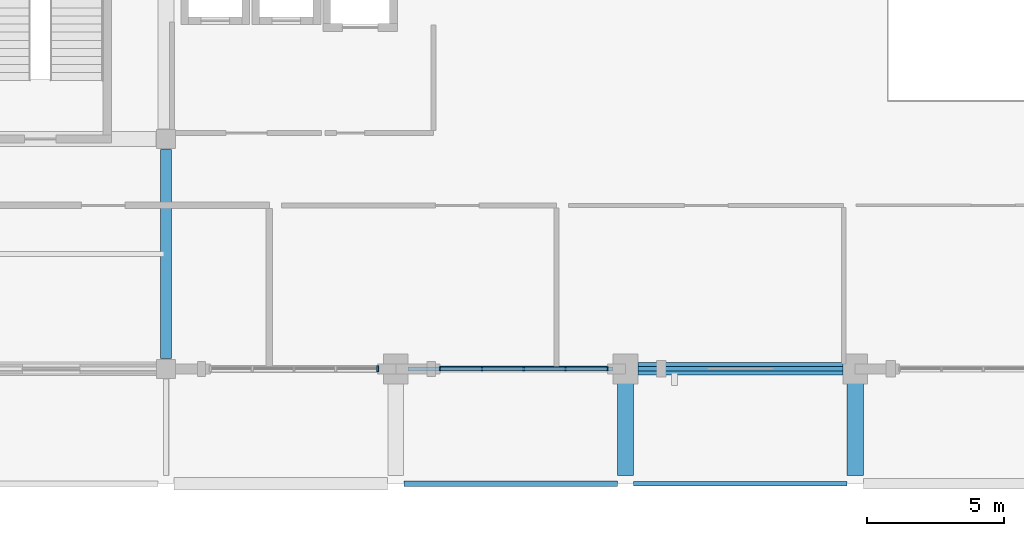
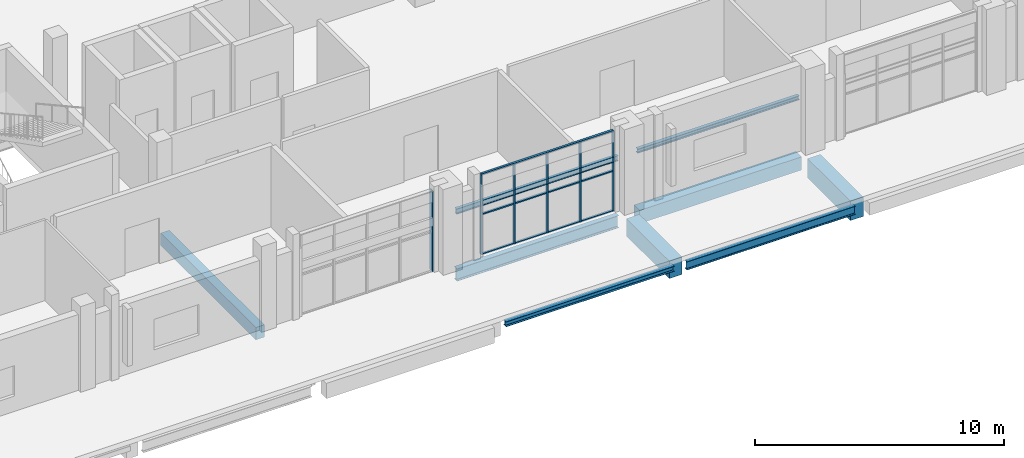
# One storey, part 10 of 59: 9 beams, 9 members, 2 elements without a shape of their own.
"""IFC4 building model written with IfcOpenShell, lengths in metres."""

from ifc_helpers import new_model, si_unit, derived_unit, direction, frame, origin, origin_2d, place, context, subcontext, project, spatial, rectangle, i_section, extrude, material, material_profile, profile_set, type_object, element, aggregate, save


model = new_model("IFC4")

# Units and contexts
model_context = context("Model", 3, precision=1e-05, world=origin(), true_north=direction((0.0, 1.0)))
body_context = subcontext(model_context, "Body", "Model", "MODEL_VIEW")
ifc_project = project(units=[si_unit("LENGTHUNIT", "METRE"), si_unit("AREAUNIT", "SQUARE_METRE"), si_unit("VOLUMEUNIT", "CUBIC_METRE"), si_unit("PLANEANGLEUNIT", "RADIAN"), si_unit("MASSUNIT", "GRAM", prefix="KILO"), derived_unit("THERMALTRANSMITTANCEUNIT", [(si_unit("POWERUNIT", "WATT"), 1), (si_unit("LENGTHUNIT", "METRE"), -2), (si_unit("THERMODYNAMICTEMPERATUREUNIT", "KELVIN"), -1)])], contexts=[model_context])

# Site, building, storey
site_placement = place(None, origin())
site = spatial("IfcSite", under=ifc_project, at=site_placement, CompositionType="ELEMENT")
building_placement = place(site_placement, origin())
building = spatial("IfcBuilding", under=site, at=building_placement, Name="Barrovel Congress Hotel", CompositionType="ELEMENT")
storey_placement = place(building_placement, frame((0.0, 0.0, 9.89990234375)))
storey = spatial("IfcBuildingStorey", under=building, at=storey_placement, Name="L02", CompositionType="ELEMENT", Elevation=9.89990234375)

# Beams
ifc_material_1 = material(Name="Concrete C40", Category="concrete")
ifc_material_profile_1 = material_profile(ifc_material_1, rectangle(XDim=0.39990234375, YDim=0.60009765625, at=origin_2d()), Name="RC400x600")
ifc_profile_set_1 = profile_set([ifc_material_profile_1], Name="Concrete C40")
beam_type_1 = type_object("IfcBeamType", Name="BM-RC400x600", PredefinedType="BEAM", material=ifc_profile_set_1)
beam_1_placement = place(storey_placement, frame((33.60009765625, 4.574951171875, -0.559814453125), z_axis=(0.0, 1.0, 0.0), x_axis=(-1.0, 0.0, 0.0)))
element("IfcBeam", 1, at=beam_1_placement, inside=storey, type_object=beam_type_1, Name="BMY:L02:33.6:4.2-12.6", PredefinedType="BEAM", context=body_context, shape_type="SweptSolid", body=[
    extrude(rectangle(XDim=0.39990234375, YDim=0.60009765625, at=origin_2d()), origin(), (0.0, 0.0, 1.0), 7.650146484375),
])
ifc_material_profile_2 = material_profile(ifc_material_1, rectangle(XDim=0.449951171875, YDim=0.64990234375, at=origin_2d()), Name="RC450x650")
ifc_profile_set_2 = profile_set([ifc_material_profile_2], Name="Concrete C40")
beam_type_2 = type_object("IfcBeamType", Name="BM-RC450x650", PredefinedType="BEAM", material=ifc_profile_set_2)
beam_2_placement = place(storey_placement, frame((50.85009765625, 4.199951171875, -0.5849609375), z_axis=(1.0, 0.0, 0.0), x_axis=(0.0, 1.0, 0.0)))
element("IfcBeam", 2, at=beam_2_placement, inside=storey, type_object=beam_type_2, Name="BMX:L02:4.2:50.4-58.8", PredefinedType="BEAM", context=body_context, shape_type="SweptSolid", body=[
    extrude(rectangle(XDim=0.449951171875, YDim=0.64990234375, at=origin_2d()), origin(), (0.0, 0.0, 1.0), 7.5),
])
ifc_material_profile_3 = material_profile(ifc_material_1, rectangle(XDim=0.60009765625, YDim=0.85009765625, at=origin_2d()), Name="RC600x850")
ifc_profile_set_3 = profile_set([ifc_material_profile_3], Name="Concrete C40")
beam_type_3 = type_object("IfcBeamType", Name="BM-RC600x850", PredefinedType="BEAM", material=ifc_profile_set_3)
beam_3_placement = place(storey_placement, frame((50.39990234375, 0.300048828125, -0.684814453125), z_axis=(0.0, 1.0, 0.0), x_axis=(-1.0, 0.0, 0.0)))
element("IfcBeam", 3, at=beam_3_placement, inside=storey, type_object=beam_type_3, Name="BMY:L02:50.4:0.0-4.2", PredefinedType="BEAM", context=body_context, shape_type="SweptSolid", body=[
    extrude(rectangle(XDim=0.60009765625, YDim=0.85009765625, at=origin_2d()), origin(), (0.0, 0.0, 1.0), 3.449951171875),
])
ifc_material_profile_4 = material_profile(ifc_material_1, rectangle(XDim=0.60009765625, YDim=0.949951171875, at=origin_2d()), Name="RC600x950")
ifc_profile_set_4 = profile_set([ifc_material_profile_4], Name="Concrete C40")
beam_type_4 = type_object("IfcBeamType", Name="BM-RC600x950", PredefinedType="BEAM", material=ifc_profile_set_4)
beam_4_placement = place(storey_placement, frame((58.800048828125, 0.300048828125, -0.73486328125), z_axis=(0.0, 1.0, 0.0), x_axis=(-1.0, 0.0, 0.0)))
element("IfcBeam", 4, at=beam_4_placement, inside=storey, type_object=beam_type_4, Name="BMY:L02:58.8:0.0-4.2", PredefinedType="BEAM", context=body_context, shape_type="SweptSolid", body=[
    extrude(rectangle(XDim=0.60009765625, YDim=0.949951171875, at=origin_2d()), origin(), (0.0, 0.0, 1.0), 3.449951171875),
])

# Curtain wall, members
ifc_material_2 = material(Name="Anodised Aluminium Alloy 6063-T6", Category="aluminium")
curtain_wall_type = type_object("IfcCurtainWallType", Name="CW-ST-7200x3600", PredefinedType="USERDEFINED", material=ifc_material_2)
curtain_wall_1_placement = place(storey_placement, origin())
curtain_wall_1 = element("IfcCurtainWall", 5, at=curtain_wall_1_placement, inside=storey, type_object=curtain_wall_type, Name="CW:L02:S:05", ObjectType="STICK CURTAIN WALL", PredefinedType="USERDEFINED")
ifc_material_profile_5 = material_profile(ifc_material_2, rectangle(XDim=0.06005859375, YDim=0.139892578125, at=origin_2d()), Name="AL-M60x140")
ifc_profile_set_5 = profile_set([ifc_material_profile_5], Name="Anodised Aluminium Alloy 6063-T6")
member_type_1 = type_object("IfcMemberType", Name="CWM-AL-M60x140", PredefinedType="MULLION", material=ifc_profile_set_5)
member_1_placement = place(storey_placement, frame((43.6201171875, 4.199951171875, 0.0), z_axis=(0.0, 0.0, 1.0), x_axis=(1.0, 0.0, 0.0)))
member_1 = element("IfcMember", 6, at=member_1_placement, type_object=member_type_1, Name="CW:L02:S:05:M0", PredefinedType="MULLION", context=body_context, shape_type="SweptSolid", body=[
    extrude(rectangle(XDim=0.06005859375, YDim=0.139892578125, at=origin_2d()), origin(), (0.0, 0.0, 1.0), 3.920166015625),
])
member_2_placement = place(storey_placement, frame((45.14990234375, 4.199951171875, 0.0), z_axis=(0.0, 0.0, 1.0), x_axis=(1.0, 0.0, 0.0)))
member_2 = element("IfcMember", 7, at=member_2_placement, type_object=member_type_1, Name="CW:L02:S:05:M1", PredefinedType="MULLION", context=body_context, shape_type="SweptSolid", body=[
    extrude(rectangle(XDim=0.06005859375, YDim=0.139892578125, at=origin_2d()), origin(), (0.0, 0.0, 1.0), 3.920166015625),
])
member_3_placement = place(storey_placement, frame((46.679931640625, 4.199951171875, 0.0), z_axis=(0.0, 0.0, 1.0), x_axis=(1.0, 0.0, 0.0)))
member_3 = element("IfcMember", 8, at=member_3_placement, type_object=member_type_1, Name="CW:L02:S:05:M2", PredefinedType="MULLION", context=body_context, shape_type="SweptSolid", body=[
    extrude(rectangle(XDim=0.06005859375, YDim=0.139892578125, at=origin_2d()), origin(), (0.0, 0.0, 1.0), 3.920166015625),
])
member_4_placement = place(storey_placement, frame((48.2099609375, 4.199951171875, 0.0), z_axis=(0.0, 0.0, 1.0), x_axis=(1.0, 0.0, 0.0)))
member_4 = element("IfcMember", 9, at=member_4_placement, type_object=member_type_1, Name="CW:L02:S:05:M3", PredefinedType="MULLION", context=body_context, shape_type="SweptSolid", body=[
    extrude(rectangle(XDim=0.06005859375, YDim=0.139892578125, at=origin_2d()), origin(), (0.0, 0.0, 1.0), 3.920166015625),
])
member_5_placement = place(storey_placement, frame((49.739990234375, 4.199951171875, 0.0), z_axis=(0.0, 0.0, 1.0), x_axis=(1.0, 0.0, 0.0)))
member_5 = element("IfcMember", 10, at=member_5_placement, type_object=member_type_1, Name="CW:L02:S:05:M4", PredefinedType="MULLION", context=body_context, shape_type="SweptSolid", body=[
    extrude(rectangle(XDim=0.06005859375, YDim=0.139892578125, at=origin_2d()), origin(), (0.0, 0.0, 1.0), 3.920166015625),
])

# Curtain wall, member
curtain_wall_2_placement = place(storey_placement, origin())
curtain_wall_2 = element("IfcCurtainWall", 11, at=curtain_wall_2_placement, inside=storey, type_object=curtain_wall_type, Name="CW:L02:S:04", ObjectType="STICK CURTAIN WALL", PredefinedType="USERDEFINED")
ifc_material_profile_6 = material_profile(ifc_material_2, rectangle(XDim=0.06494140625, YDim=0.219970703125, at=origin_2d()), Name="AL-M65x220")
ifc_profile_set_6 = profile_set([ifc_material_profile_6], Name="Anodised Aluminium Alloy 6063-T6")
member_type_2 = type_object("IfcMemberType", Name="CWM-AL-M65x220", PredefinedType="MULLION", material=ifc_profile_set_6)
member_6_placement = place(storey_placement, frame((41.340087890625, 4.199951171875, 0.0), z_axis=(0.0, 0.0, 1.0), x_axis=(1.0, 0.0, 0.0)))
member_6 = element("IfcMember", 12, at=member_6_placement, type_object=member_type_2, Name="CW:L02:S:04:M4", PredefinedType="MULLION", context=body_context, shape_type="SweptSolid", body=[
    extrude(rectangle(XDim=0.06494140625, YDim=0.219970703125, at=origin_2d()), origin(), (0.0, 0.0, 1.0), 3.920166015625),
])
aggregate(curtain_wall_2, [member_6])

# Member
ifc_material_profile_7 = material_profile(ifc_material_2, rectangle(XDim=0.10498046875, YDim=0.06005859375, at=origin_2d()), Name="AL-T60x105")
ifc_profile_set_7 = profile_set([ifc_material_profile_7], Name="Anodised Aluminium Alloy 6063-T6")
member_type_3 = type_object("IfcMemberType", Name="CWT-AL-T60x105", PredefinedType="USERDEFINED", material=ifc_profile_set_7)
member_7_placement = place(storey_placement, frame((43.6201171875, 4.199951171875, 0.0), z_axis=(1.0, 0.0, 0.0), x_axis=(0.0, 1.0, 0.0)))
member_7 = element("IfcMember", 13, at=member_7_placement, type_object=member_type_3, Name="CW:L02:S:05:T0", ObjectType="TRANSOM", PredefinedType="USERDEFINED", context=body_context, shape_type="SweptSolid", body=[
    extrude(rectangle(XDim=0.10498046875, YDim=0.06005859375, at=origin_2d()), origin(), (0.0, 0.0, 1.0), 6.119873046875),
])

member_8_placement = place(storey_placement, frame((43.6201171875, 4.199951171875, 1.960205078125), z_axis=(1.0, 0.0, 0.0), x_axis=(0.0, 1.0, 0.0)))
member_8 = element("IfcMember", 14, at=member_8_placement, type_object=member_type_3, Name="CW:L02:S:05:T1", ObjectType="TRANSOM", PredefinedType="USERDEFINED", context=body_context, shape_type="SweptSolid", body=[
    extrude(rectangle(XDim=0.10498046875, YDim=0.06005859375, at=origin_2d()), origin(), (0.0, 0.0, 1.0), 6.119873046875),
])

member_9_placement = place(storey_placement, frame((43.6201171875, 4.199951171875, 3.920166015625), z_axis=(1.0, 0.0, 0.0), x_axis=(0.0, 1.0, 0.0)))
member_9 = element("IfcMember", 15, at=member_9_placement, type_object=member_type_3, Name="CW:L02:S:05:T2", ObjectType="TRANSOM", PredefinedType="USERDEFINED", context=body_context, shape_type="SweptSolid", body=[
    extrude(rectangle(XDim=0.10498046875, YDim=0.06005859375, at=origin_2d()), origin(), (0.0, 0.0, 1.0), 6.119873046875),
])

aggregate(curtain_wall_1, [member_1, member_2, member_3, member_4, member_5, member_7, member_8, member_9])

# Beams
ifc_material_3 = material(Name="Steel ASTM A992 Grade 50", Category="steel")
ifc_material_profile_8 = material_profile(ifc_material_3, i_section(OverallWidth=0.166015625, OverallDepth=0.205078125, WebThickness=0.007080078125, FlangeThickness=0.01171875, FilletRadius=0.010009765625, at=origin_2d()), Name="W200x42")
ifc_profile_set_8 = profile_set([ifc_material_profile_8], Name="Steel ASTM A992 Grade 50")
beam_type_5 = type_object("IfcBeamType", Name="SBM-W200x42", PredefinedType="LINTEL", material=ifc_profile_set_8)
beam_5_placement = place(storey_placement, frame((50.85009765625, 4.199951171875, 2.547607421875), z_axis=(1.0, 0.0, 0.0), x_axis=(0.0, 1.0, 0.0)))
element("IfcBeam", 16, at=beam_5_placement, inside=storey, type_object=beam_type_5, Name="LIN:L02:50.4-58.8", PredefinedType="LINTEL", context=body_context, shape_type="SweptSolid", body=[
    extrude(i_section(OverallWidth=0.166015625, OverallDepth=0.205078125, WebThickness=0.007080078125, FlangeThickness=0.01171875, FilletRadius=0.010009765625, at=origin_2d()), origin(), (0.0, 0.0, 1.0), 7.5),
])
ifc_material_profile_9 = material_profile(ifc_material_3, i_section(OverallWidth=0.14599609375, OverallDepth=0.258056640625, WebThickness=0.006103515625, FlangeThickness=0.009033203125, FilletRadius=0.010009765625, at=origin_2d()), Name="W250x33")
ifc_profile_set_9 = profile_set([ifc_material_profile_9], Name="Steel ASTM A992 Grade 50")
beam_type_6 = type_object("IfcBeamType", Name="SBM-W250x33", PredefinedType="LINTEL", material=ifc_profile_set_9)
beam_6_placement = place(storey_placement, frame((42.449951171875, 4.199951171875, 2.52099609375), z_axis=(1.0, 0.0, 0.0), x_axis=(0.0, 1.0, 0.0)))
element("IfcBeam", 17, at=beam_6_placement, inside=storey, type_object=beam_type_6, Name="LIN:L02:42.0-50.4", PredefinedType="LINTEL", context=body_context, shape_type="SweptSolid", body=[
    extrude(i_section(OverallWidth=0.14599609375, OverallDepth=0.258056640625, WebThickness=0.006103515625, FlangeThickness=0.009033203125, FilletRadius=0.010009765625, at=origin_2d()), origin(), (0.0, 0.0, 1.0), 7.5),
])
ifc_material_profile_10 = material_profile(ifc_material_3, i_section(OverallWidth=0.201904296875, OverallDepth=0.2470703125, WebThickness=0.00732421875, FlangeThickness=0.010986328125, FilletRadius=0.011962890625, at=origin_2d()), Name="W250x49")
ifc_profile_set_10 = profile_set([ifc_material_profile_10], Name="Steel ASTM A992 Grade 50")
beam_type_7 = type_object("IfcBeamType", Name="SBM-W250x49", PredefinedType="SPANDREL", material=ifc_profile_set_10)
beam_7_placement = place(storey_placement, frame((42.300048828125, 0.0, -0.38330078125), z_axis=(1.0, 0.0, 0.0), x_axis=(0.0, 1.0, 0.0)))
element("IfcBeam", 18, at=beam_7_placement, inside=storey, type_object=beam_type_7, Name="BMX:L02:0.0:42.0-50.4", PredefinedType="SPANDREL", context=body_context, shape_type="SweptSolid", body=[
    extrude(i_section(OverallWidth=0.201904296875, OverallDepth=0.2470703125, WebThickness=0.00732421875, FlangeThickness=0.010986328125, FilletRadius=0.011962890625, at=origin_2d()), origin(), (0.0, 0.0, 1.0), 7.800048828125),
])
ifc_material_profile_11 = material_profile(ifc_material_3, i_section(OverallWidth=0.178955078125, OverallDepth=0.409912109375, WebThickness=0.0087890625, FlangeThickness=0.014404296875, FilletRadius=0.011962890625, at=origin_2d()), Name="W410x67")
ifc_profile_set_11 = profile_set([ifc_material_profile_11], Name="Steel ASTM A992 Grade 50")
beam_type_8 = type_object("IfcBeamType", Name="SBM-W410x67", PredefinedType="BEAM", material=ifc_profile_set_11)
beam_8_placement = place(storey_placement, frame((50.699951171875, 0.0, -0.46484375), z_axis=(1.0, 0.0, 0.0), x_axis=(0.0, 1.0, 0.0)))
element("IfcBeam", 19, at=beam_8_placement, inside=storey, type_object=beam_type_8, Name="BMX:L02:0.0:50.4-58.8", PredefinedType="BEAM", context=body_context, shape_type="SweptSolid", body=[
    extrude(i_section(OverallWidth=0.178955078125, OverallDepth=0.409912109375, WebThickness=0.0087890625, FlangeThickness=0.014404296875, FilletRadius=0.011962890625, at=origin_2d()), origin(), (0.0, 0.0, 1.0), 7.800048828125),
])
ifc_material_profile_12 = material_profile(ifc_material_3, i_section(OverallWidth=0.22802734375, OverallDepth=0.60302734375, WebThickness=0.010498046875, FlangeThickness=0.014892578125, FilletRadius=0.014892578125, at=origin_2d()), Name="W610x101")
ifc_profile_set_12 = profile_set([ifc_material_profile_12], Name="Steel ASTM A992 Grade 50")
beam_type_9 = type_object("IfcBeamType", Name="SBM-W610x101", PredefinedType="BEAM", material=ifc_profile_set_12)
beam_9_placement = place(storey_placement, frame((42.449951171875, 4.199951171875, -0.5615234375), z_axis=(1.0, 0.0, 0.0), x_axis=(0.0, 1.0, 0.0)))
element("IfcBeam", 20, at=beam_9_placement, inside=storey, type_object=beam_type_9, Name="BMX:L02:4.2:42.0-50.4", PredefinedType="BEAM", context=body_context, shape_type="SweptSolid", body=[
    extrude(i_section(OverallWidth=0.22802734375, OverallDepth=0.60302734375, WebThickness=0.010498046875, FlangeThickness=0.014892578125, FilletRadius=0.014892578125, at=origin_2d()), origin(), (0.0, 0.0, 1.0), 7.5),
])

save(model, "model.ifc")
